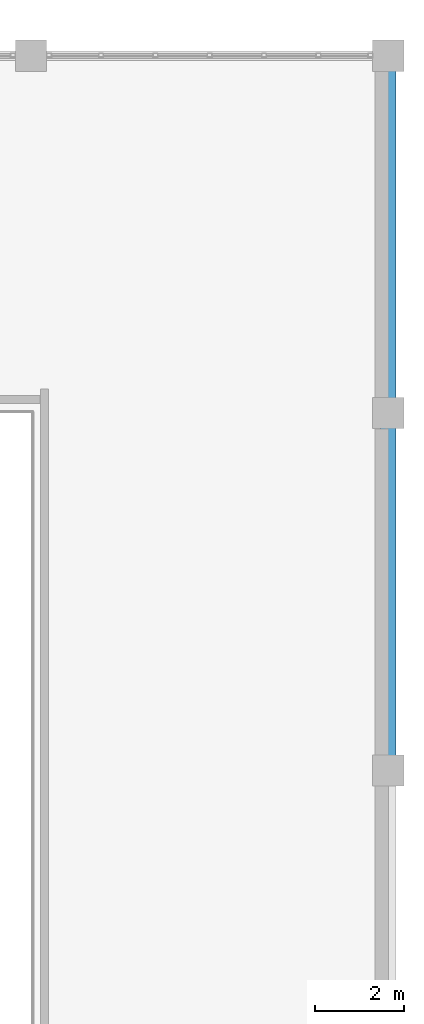
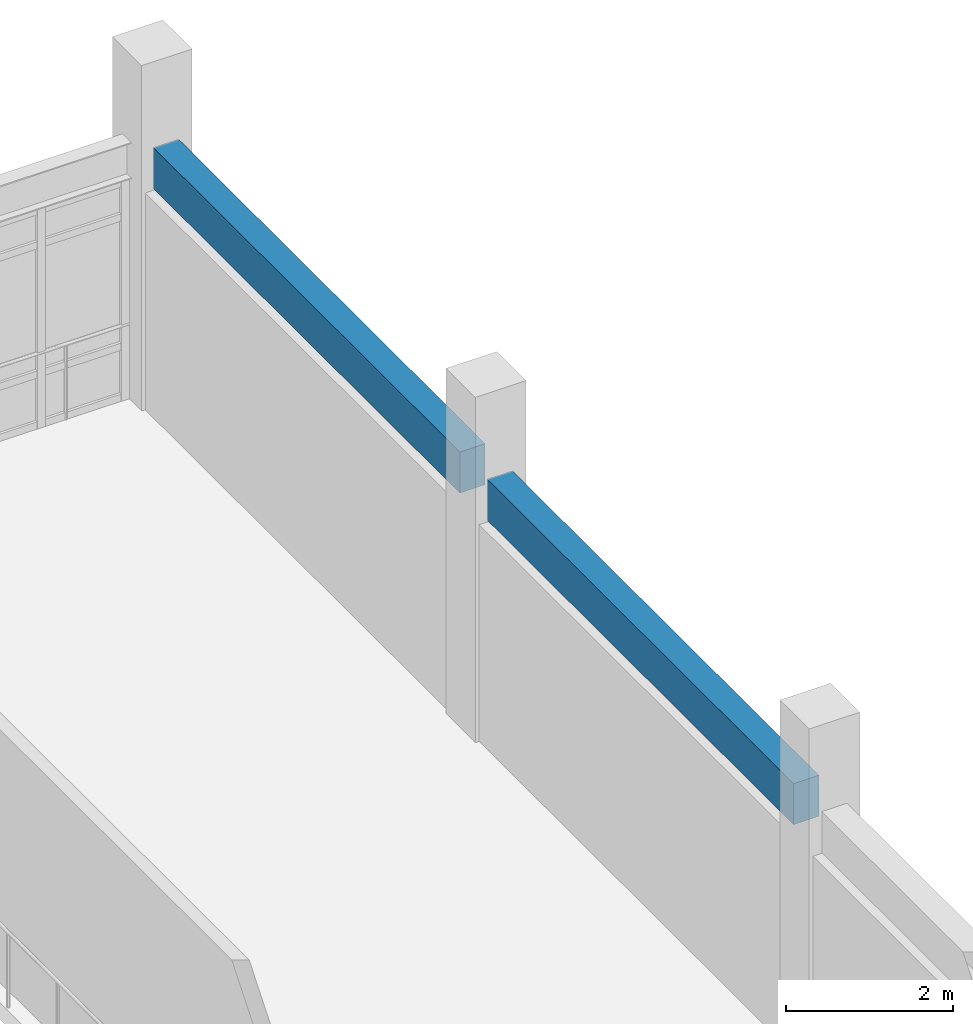
# One storey, part 100 of 159: 2 beams.
"""IFC4 building model written with IfcOpenShell, lengths in metres."""

from ifc_helpers import new_model, si_unit, direction, frame, origin, origin_2d, place, context, subcontext, project, spatial, rectangle, extrude, material, material_profile, profile_set, type_object, element, save


model = new_model("IFC4")

# Units and contexts
model_context = context("Model", 3, precision=1e-05, world=origin(), true_north=direction((0.0, 1.0)))
body_context = subcontext(model_context, "Body", "Model", "MODEL_VIEW")
ifc_project = project(units=[si_unit("LENGTHUNIT", "METRE"), si_unit("AREAUNIT", "SQUARE_METRE"), si_unit("VOLUMEUNIT", "CUBIC_METRE"), si_unit("PLANEANGLEUNIT", "RADIAN"), si_unit("MASSUNIT", "GRAM", prefix="KILO")], contexts=[model_context])

# Site, building, storey
site_placement = place(None, origin())
site = spatial("IfcSite", under=ifc_project, at=site_placement, CompositionType="ELEMENT")
building_placement = place(site_placement, origin())
building = spatial("IfcBuilding", under=site, at=building_placement, Name="Celadon Cloister-Ring School", CompositionType="ELEMENT")
storey_placement = place(building_placement, frame((0.0, 0.0, 4.5)))
storey = spatial("IfcBuildingStorey", under=building, at=storey_placement, Name="L01", CompositionType="ELEMENT", Elevation=4.5)

# Beams
ifc_material = material(Name="Concrete C35/45", Category="concrete")
ifc_material_profile = material_profile(ifc_material, rectangle(XDim=0.35009765625, YDim=0.60009765625, at=origin_2d()), Name="RC350X600")
ifc_profile_set = profile_set([ifc_material_profile], Name="Concrete C35/45")
beam_type = type_object("IfcBeamType", Name="BT-02", PredefinedType="BEAM", material=ifc_profile_set)
for number, where, z_axis, x_axis, name in (
    (1, (174.0, 98.324951171875, 3.47998046875), (0.0, 1.0, 0.0), (-1.0, 0.0, 0.0), "Beam 1179"),
    (2, (174.0, 106.324951171875, 3.47998046875), (0.0, 1.0, 0.0), (-1.0, 0.0, 0.0), "Beam 1180"),
):
    element("IfcBeam", number, at=place(storey_placement, frame(where, z_axis=z_axis, x_axis=x_axis)), inside=storey, type_object=beam_type, Name=name, PredefinedType="BEAM", context=body_context, shape_type="SweptSolid", body=[
        extrude(rectangle(XDim=0.35009765625, YDim=0.60009765625, at=origin_2d()), origin(), (0.0, 0.0, 1.0), 7.35009765625),
    ])

save(model, "model.ifc")
